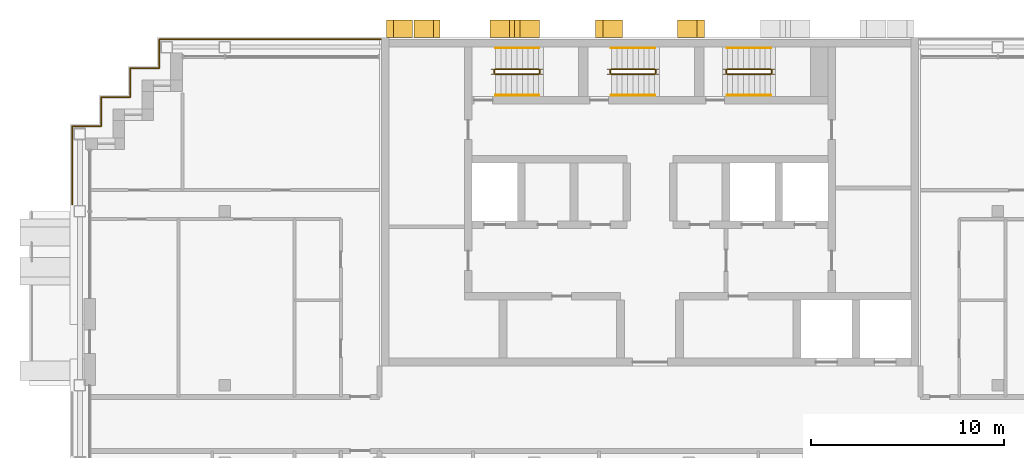
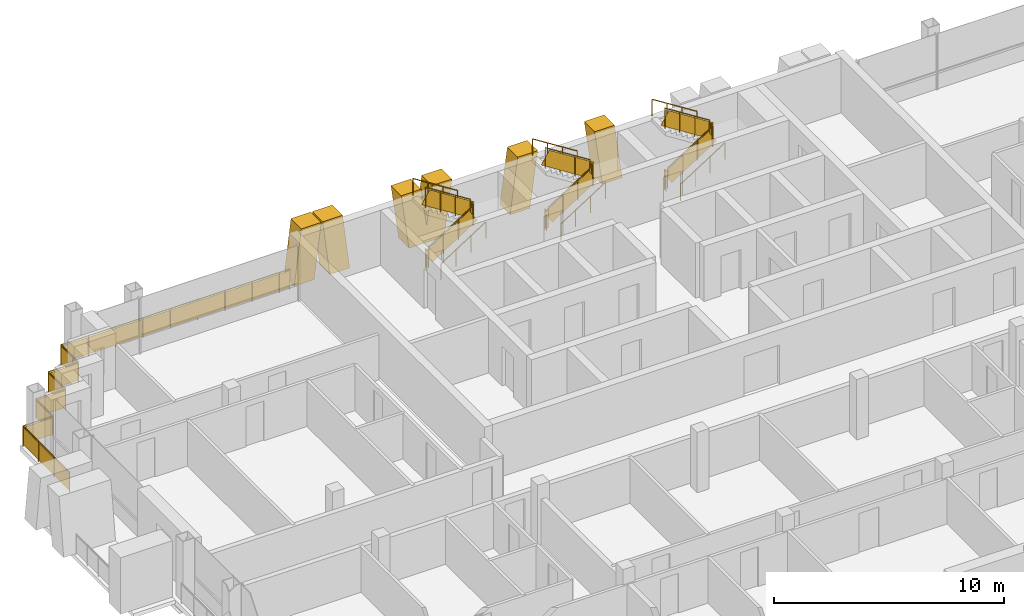
# One storey, part 14 of 15: 21 railings, 5 shading devices.
"""IFC4 building model written with IfcOpenShell, lengths in metres."""

import ifcopenshell
import ifcopenshell.guid

model = None  # the IFC model being written
_history = None  # IfcOwnerHistory: only IFC2X3 demands one
_inside = {}  # id of a spatial element -> (the spatial element, [elements in it])
_under = {}  # id of a project, library or spatial element -> (it, [spatial elements below it])
_declared = {}  # id of a project -> (the project, [libraries it declares])
_typed = {}  # id of a type object -> (the type object, [elements of that type])
_made_of = {}  # id of a material, layer set ... -> (it, [elements and type objects made of it])


def new_model(schema):
    """Start an empty IFC model of exactly this schema.

    Asked for "IFC4X3", IfcOpenShell would pick the latest addendum, in which some entities
    have other attributes; the version numbers below select the first issue.
    IFC2X3 requires an IfcOwnerHistory on every rooted entity: one is made here for all.
    """
    global model, _history
    if schema == "IFC4X3":
        model = ifcopenshell.file(schema_version=(4, 3, 0, 0))
    else:
        model = ifcopenshell.file(schema=schema)
    _inside.clear()
    _under.clear()
    _declared.clear()
    _typed.clear()
    _made_of.clear()
    _history = None
    if model.schema == "IFC2X3":
        org = make("IfcOrganization", Name="unknown")
        user = make(
            "IfcPersonAndOrganization",
            ThePerson=make("IfcPerson", FamilyName="unknown"),
            TheOrganization=org,
        )
        app = make(
            "IfcApplication",
            ApplicationDeveloper=org,
            Version="unknown",
            ApplicationFullName="unknown",
            ApplicationIdentifier="unknown",
        )
        _history = make(
            "IfcOwnerHistory",
            OwningUser=user,
            OwningApplication=app,
            ChangeAction="ADDED",
            CreationDate=0,
        )
    return model


def make(cls, **values):
    """One entity of the class cls with the attributes given. An attribute that is None is left unset."""
    return model.create_entity(
        cls, **{name: value for name, value in values.items() if value is not None}
    )


def rooted(cls, **values):
    """An entity with a GlobalId (a new one), such as an element, a storey or a relation."""
    return make(cls, GlobalId=ifcopenshell.guid.new(), OwnerHistory=_history, **values)


def si_unit(unit_type, name, prefix=None):
    """IfcSIUnit, for example si_unit("LENGTHUNIT", "METRE", prefix="MILLI")."""
    return make("IfcSIUnit", UnitType=unit_type, Prefix=prefix, Name=name)


def assignment(units):
    """IfcUnitAssignment: the units of a project."""
    return None if units is None else make("IfcUnitAssignment", Units=units)


def point(xyz):
    """IfcCartesianPoint."""
    return None if xyz is None else make("IfcCartesianPoint", Coordinates=xyz)


def direction(xyz):
    """IfcDirection."""
    return None if xyz is None else make("IfcDirection", DirectionRatios=xyz)


def frame(location, z_axis=None, x_axis=None):
    """IfcAxis2Placement3D, a coordinate frame: its origin and axes. An axis left out is left unset."""
    return make(
        "IfcAxis2Placement3D",
        Location=point(location),
        Axis=direction(z_axis),
        RefDirection=direction(x_axis),
    )


def frame_2d(location, x_axis=None):
    """IfcAxis2Placement2D, a coordinate frame in the plane: its origin and x axis."""
    return make(
        "IfcAxis2Placement2D", Location=point(location), RefDirection=direction(x_axis)
    )


def origin():
    """The frame at (0, 0, 0) with its axes left unset."""
    return frame((0.0, 0.0, 0.0))


def origin_2d():
    """The frame at (0, 0) in the plane with its x axis left unset."""
    return frame_2d((0.0, 0.0))


def place(relative_to, where):
    """IfcLocalPlacement: puts the frame where relative to a parent placement (None: the world)."""
    return make(
        "IfcLocalPlacement", PlacementRelTo=relative_to, RelativePlacement=where
    )


def context(
    kind, dimensions, precision=None, world=None, true_north=None, identifier=None
):
    """IfcGeometricRepresentationContext, for example the 3D "Model" context."""
    return make(
        "IfcGeometricRepresentationContext",
        ContextIdentifier=identifier,
        ContextType=kind,
        CoordinateSpaceDimension=dimensions,
        Precision=precision,
        WorldCoordinateSystem=world,
        TrueNorth=true_north,
    )


def subcontext(parent, identifier, kind, view, scale=None):
    """IfcGeometricRepresentationSubContext, for example "Body" below "Model"."""
    return make(
        "IfcGeometricRepresentationSubContext",
        ContextIdentifier=identifier,
        ContextType=kind,
        ParentContext=parent,
        TargetScale=scale,
        TargetView=view,
    )


def project(units=None, contexts=None):
    """IfcProject with its units and contexts."""
    return rooted(
        "IfcProject",
        Name="project",
        RepresentationContexts=contexts,
        UnitsInContext=assignment(units),
    )


def spatial(cls, under=None, at=None, **own):
    """A site, building, storey or space (cls), placed at a placement, below another one or the project."""
    s = rooted(cls, ObjectPlacement=at, **own)
    if under is not None:
        _under.setdefault(under.id(), (under, []))[1].append(s)
    return s


def polyline(points):
    """IfcPolyline through the points."""
    return make("IfcPolyline", Points=[point(p) for p in points])


def profile(cls, at=None, kind="AREA", **sizes):
    """A parametric profile (cls). Its sizes go by their IFC names, for example OverallWidth=200.0."""
    return make(cls, ProfileType=kind, Position=at, **sizes)


def rectangle(**sizes):
    """IfcRectangleProfileDef."""
    return profile("IfcRectangleProfileDef", **sizes)


def circle(**sizes):
    """IfcCircleProfileDef."""
    return profile("IfcCircleProfileDef", **sizes)


def outline(outer, holes=None, kind="AREA"):
    """IfcArbitraryClosedProfileDef: a profile drawn as a closed curve; with holes, ...WithVoids."""
    if holes is None:
        return make("IfcArbitraryClosedProfileDef", ProfileType=kind, OuterCurve=outer)
    return make(
        "IfcArbitraryProfileDefWithVoids",
        ProfileType=kind,
        OuterCurve=outer,
        InnerCurves=holes,
    )


def extrude(swept, where, along, depth):
    """IfcExtrudedAreaSolid: the profile swept, set in the frame where, extruded along a direction by depth."""
    return make(
        "IfcExtrudedAreaSolid",
        SweptArea=swept,
        Position=where,
        ExtrudedDirection=direction(along),
        Depth=depth,
    )


def shape(context_of_items, identifier, shape_type, items):
    """IfcShapeRepresentation: the items that make up one representation, for example the "Body"."""
    return make(
        "IfcShapeRepresentation",
        ContextOfItems=context_of_items,
        RepresentationIdentifier=identifier,
        RepresentationType=shape_type,
        Items=items,
    )


def material(Name=None, Category=None):
    """IfcMaterial."""
    return make("IfcMaterial", Name=Name, Category=Category)


def layer(
    of_material, thickness, ventilated=None, Name=None, Category=None, Priority=None
):
    """IfcMaterialLayer: one layer of a wall or slab, of a material (None: an air gap)."""
    return make(
        "IfcMaterialLayer",
        Material=of_material,
        LayerThickness=thickness,
        IsVentilated=ventilated,
        Name=Name,
        Category=Category,
        Priority=Priority,
    )


def layer_set(layers, Name=None):
    """IfcMaterialLayerSet."""
    return make("IfcMaterialLayerSet", MaterialLayers=layers, LayerSetName=Name)


def made_of(thing, what):
    """Note that an element or type object is made of a material, layer set ...; save() writes the relation."""
    if what is not None:
        _made_of.setdefault(what.id(), (what, []))[1].append(thing)
    return thing


def type_object(cls, material=None, **own):
    """A type object (cls), such as IfcWallType, which elements share."""
    return made_of(rooted(cls, **own), material)


def element(
    cls,
    number,
    at=None,
    inside=None,
    cuts=None,
    type_object=None,
    material=None,
    context=None,
    identifier="Body",
    shape_type=None,
    held_by="IfcProductDefinitionShape",
    body=None,
    shapes=None,
    **own,
):
    """One element of the class cls, such as IfcWall. Its Tag is "e" and its number.

    at: its placement. inside: the storey or other place that contains it. cuts: it is an
    opening in that element (IfcRelVoidsElement). A single representation is given by context,
    identifier, shape_type and body (its items); several are given by shapes. held_by: the class
    of the entity that holds the representations. save() writes the other relations.
    """
    e = rooted(cls, Tag="e%d" % number, ObjectPlacement=at, **own)
    if body is not None:
        shapes = [shape(context, identifier, shape_type, body)]
    if shapes is not None:
        e.Representation = make(held_by, Representations=shapes)
    if inside is not None:
        _inside.setdefault(inside.id(), (inside, []))[1].append(e)
    if cuts is not None:
        rooted(
            "IfcRelVoidsElement", RelatingBuildingElement=cuts, RelatedOpeningElement=e
        )
    if type_object is not None:
        _typed.setdefault(type_object.id(), (type_object, []))[1].append(e)
    return made_of(e, material)


def aggregate(whole, parts):
    """IfcRelAggregates: a whole, such as a stair, and the parts it consists of."""
    return rooted("IfcRelAggregates", RelatingObject=whole, RelatedObjects=parts)


def save(model, path):
    """Write the relations noted so far, then the file.

    IfcRelAggregates (storeys below a building ...), IfcRelContainedInSpatialStructure (elements
    in a storey), IfcRelDefinesByType, IfcRelAssociatesMaterial and IfcRelDeclares: one each for
    every whole, place, type object, material and project.
    """
    for whole, parts in _under.values():
        aggregate(whole, parts)
    for where, things in _inside.values():
        rooted(
            "IfcRelContainedInSpatialStructure",
            RelatedElements=things,
            RelatingStructure=where,
        )
    for kind, things in _typed.values():
        rooted("IfcRelDefinesByType", RelatedObjects=things, RelatingType=kind)
    for what, things in _made_of.values():
        rooted("IfcRelAssociatesMaterial", RelatedObjects=things, RelatingMaterial=what)
    for by, libraries in _declared.values():
        rooted("IfcRelDeclares", RelatingContext=by, RelatedDefinitions=libraries)
    model.write(path)


model = new_model("IFC4")

# Units and contexts
model_context = context("Model", 3, precision=1e-05, world=origin(), true_north=direction((0.0, 1.0)))
body_context = subcontext(model_context, "Body", "Model", "MODEL_VIEW")
ifc_project = project(units=[si_unit("LENGTHUNIT", "METRE"), si_unit("AREAUNIT", "SQUARE_METRE"), si_unit("VOLUMEUNIT", "CUBIC_METRE"), si_unit("PLANEANGLEUNIT", "RADIAN"), si_unit("MASSUNIT", "GRAM", prefix="KILO")], contexts=[model_context])

# Site, building, storey
site_placement = place(None, origin())
site = spatial("IfcSite", under=ifc_project, at=site_placement, CompositionType="ELEMENT")
building_placement = place(site_placement, origin())
building = spatial("IfcBuilding", under=site, at=building_placement, Name="Vidyagriha Tower", CompositionType="ELEMENT")
storey_placement = place(building_placement, frame((0.0, 0.0, 210.800048828125)))
storey = spatial("IfcBuildingStorey", under=building, at=storey_placement, Name="L54", CompositionType="ELEMENT", Elevation=210.800048828125)

# Shading devices
ifc_material_1 = material(Name="Precast concrete C40/50 with brick facing", Category="concrete")
ifc_layer_1 = layer(ifc_material_1, 1.0)
ifc_layer_set_1 = layer_set([ifc_layer_1], Name="Precast concrete C40/50 with brick facing")
shading_device_type_1 = type_object("IfcShadingDeviceType", Name="Brick-faced rear rib arm leaning 8 degrees", PredefinedType="USERDEFINED", material=ifc_layer_set_1)
shading_device_1_placement = place(storey_placement, frame((2.814208984375, 20.449951171875, 0.0), z_axis=(0.0, 0.0, 1.0), x_axis=(-1.0, 0.0, 0.0)))
element("IfcShadingDevice", 1, at=shading_device_1_placement, inside=storey, type_object=shading_device_type_1, Name="Rear rib arm L54 R08.3a", ObjectType="BLADE FIN", PredefinedType="USERDEFINED", context=body_context, shape_type="SweptSolid", body=[
    extrude(outline(polyline([(0.0, 0.0), (1.0, 0.0), (1.3857421875, 2.919921875), (0.3857421875, 2.919921875), (0.0, 0.0)])), frame((0.0, 0.449951171875, 0.0), z_axis=(0.0, -1.0, 0.0), x_axis=(1.0, 0.0, 0.0)), (0.0, 0.0, 1.0), 0.89990234375),
])
shading_device_2_placement = place(storey_placement, frame((-1.4287109375, 20.449951171875, 0.0), z_axis=(0.0, 0.0, 1.0), x_axis=(-1.0, 0.0, 0.0)))
element("IfcShadingDevice", 2, at=shading_device_2_placement, inside=storey, type_object=shading_device_type_1, Name="Rear rib arm L54 R08.3b", ObjectType="BLADE FIN", PredefinedType="USERDEFINED", context=body_context, shape_type="SweptSolid", body=[
    extrude(outline(polyline([(0.3857421875, 0.0), (1.3857421875, 0.0), (1.0, 2.919921875), (0.0, 2.919921875), (0.3857421875, 0.0)])), frame((0.0, 0.449951171875, 0.0), z_axis=(0.0, -1.0, 0.0), x_axis=(1.0, 0.0, 0.0)), (0.0, 0.0, 1.0), 0.89990234375),
])
shading_device_3_placement = place(storey_placement, frame((-10.857177734375, 20.449951171875, 0.0), z_axis=(0.0, 0.0, 1.0), x_axis=(-1.0, 0.0, 0.0)))
element("IfcShadingDevice", 3, at=shading_device_3_placement, inside=storey, type_object=shading_device_type_1, Name="Rear rib arm L54 R08.5a", ObjectType="BLADE FIN", PredefinedType="USERDEFINED", context=body_context, shape_type="SweptSolid", body=[
    extrude(outline(polyline([(0.0, 0.0), (1.0, 0.0), (1.357177734375, 2.919921875), (0.357177734375, 2.919921875), (0.0, 0.0)])), frame((0.0, 0.449951171875, 0.0), z_axis=(0.0, -1.0, 0.0), x_axis=(1.0, 0.0, 0.0)), (0.0, 0.0, 1.0), 0.89990234375),
])
shading_device_4_placement = place(storey_placement, frame((-12.28564453125, 20.449951171875, 0.0), z_axis=(0.0, 0.0, 1.0), x_axis=(-1.0, 0.0, 0.0)))
element("IfcShadingDevice", 4, at=shading_device_4_placement, inside=storey, type_object=shading_device_type_1, Name="Rear rib arm L54 R08.5b", ObjectType="BLADE FIN", PredefinedType="USERDEFINED", context=body_context, shape_type="SweptSolid", body=[
    extrude(outline(polyline([(0.357177734375, 0.0), (1.357177734375, 0.0), (1.0, 2.919921875), (0.0, 2.919921875), (0.357177734375, 0.0)])), frame((0.0, 0.449951171875, 0.0), z_axis=(0.0, -1.0, 0.0), x_axis=(1.0, 0.0, 0.0)), (0.0, 0.0, 1.0), 0.89990234375),
])
ifc_material_2 = material(Name="Precast concrete C40/50 with brick facing", Category="concrete")
ifc_layer_2 = layer(ifc_material_2, 1.0)
ifc_layer_set_2 = layer_set([ifc_layer_2], Name="Precast concrete C40/50 with brick facing")
shading_device_type_2 = type_object("IfcShadingDeviceType", Name="Brick-faced rear rib forking 8 degrees", PredefinedType="USERDEFINED", material=ifc_layer_set_2)
shading_device_5_placement = place(storey_placement, frame((-5.728515625, 20.449951171875, 0.0), z_axis=(0.0, 0.0, 1.0), x_axis=(-1.0, 0.0, 0.0)))
element("IfcShadingDevice", 5, at=shading_device_5_placement, inside=storey, type_object=shading_device_type_2, Name="Rear rib fork L54 R08.4a", ObjectType="BLADE FIN", PredefinedType="USERDEFINED", context=body_context, shape_type="SweptSolid", body=[
    extrude(outline(polyline([(0.3857421875, 0.0), (2.156982421875, 0.0), (2.542724609375, 2.919921875), (1.542724609375, 2.919921875), (1.271484375, 0.865234375), (1.0, 2.919921875), (0.0, 2.919921875), (0.3857421875, 0.0)])), frame((0.0, 0.449951171875, 0.0), z_axis=(0.0, -1.0, 0.0), x_axis=(1.0, 0.0, 0.0)), (0.0, 0.0, 1.0), 0.89990234375),
])

# Railings
ifc_material_3 = material(Name="Steel ASTM A500 Grade C black painted", Category="steel")
railing_type_1 = type_object("IfcRailingType", Name="Gallery guard 1100", PredefinedType="GUARDRAIL", material=ifc_material_3)
railing_1_placement = place(storey_placement, frame((-29.89990234375, 11.360107421875, 0.0)))
element("IfcRailing", 6, at=railing_1_placement, inside=storey, type_object=railing_type_1, Name="Gallery guard L54 4", PredefinedType="GUARDRAIL", context=body_context, shape_type="SweptSolid", body=[
    extrude(circle(Radius=0.02490234375, at=origin_2d()), frame((0.0, 0.0, 1.0751953125), z_axis=(0.0, 1.0, 0.0), x_axis=(-1.0, 0.0, 0.0)), (0.0, 0.0, 1.0), 4.039794921875),
    extrude(circle(Radius=0.02490234375, at=origin_2d()), frame((0.0, 4.039794921875, 1.0751953125), z_axis=(1.0, 0.0, 0.0), x_axis=(0.0, 1.0, 0.0)), (0.0, 0.0, 1.0), 1.5),
    extrude(circle(Radius=0.02490234375, at=origin_2d()), frame((1.5, 4.039794921875, 1.0751953125), z_axis=(0.0, 1.0, 0.0), x_axis=(-1.0, 0.0, 0.0)), (0.0, 0.0, 1.0), 1.5),
    extrude(circle(Radius=0.02490234375, at=origin_2d()), frame((1.5, 5.539794921875, 1.0751953125), z_axis=(1.0, 0.0, 0.0), x_axis=(0.0, 1.0, 0.0)), (0.0, 0.0, 1.0), 1.5),
    extrude(circle(Radius=0.02490234375, at=origin_2d()), frame((3.0, 5.539794921875, 1.0751953125), z_axis=(0.0, 1.0, 0.0), x_axis=(-1.0, 0.0, 0.0)), (0.0, 0.0, 1.0), 1.5),
    extrude(circle(Radius=0.02490234375, at=origin_2d()), frame((3.0, 7.039794921875, 1.0751953125), z_axis=(1.0, 0.0, 0.0), x_axis=(0.0, 1.0, 0.0)), (0.0, 0.0, 1.0), 1.5),
    extrude(circle(Radius=0.02490234375, at=origin_2d()), frame((4.5, 7.039794921875, 1.0751953125), z_axis=(0.0, 1.0, 0.0), x_axis=(-1.0, 0.0, 0.0)), (0.0, 0.0, 1.0), 0.460205078125),
    extrude(circle(Radius=0.02001953125, at=origin_2d()), origin(), (0.0, 0.0, 1.0), 1.050048828125),
    extrude(circle(Radius=0.02001953125, at=origin_2d()), frame((0.0, 1.3466796875, 0.0)), (0.0, 0.0, 1.0), 1.050048828125),
    extrude(circle(Radius=0.02001953125, at=origin_2d()), frame((0.0, 2.693115234375, 0.0)), (0.0, 0.0, 1.0), 1.050048828125),
    extrude(circle(Radius=0.02001953125, at=origin_2d()), frame((0.0, 4.039794921875, 0.0)), (0.0, 0.0, 1.0), 1.050048828125),
    extrude(circle(Radius=0.02001953125, at=origin_2d()), frame((1.5, 4.039794921875, 0.0)), (0.0, 0.0, 1.0), 1.050048828125),
    extrude(circle(Radius=0.02001953125, at=origin_2d()), frame((1.5, 5.539794921875, 0.0)), (0.0, 0.0, 1.0), 1.050048828125),
    extrude(circle(Radius=0.02001953125, at=origin_2d()), frame((3.0, 5.539794921875, 0.0)), (0.0, 0.0, 1.0), 1.050048828125),
    extrude(circle(Radius=0.02001953125, at=origin_2d()), frame((3.0, 7.039794921875, 0.0)), (0.0, 0.0, 1.0), 1.050048828125),
    extrude(circle(Radius=0.02001953125, at=origin_2d()), frame((4.5, 7.039794921875, 0.0)), (0.0, 0.0, 1.0), 1.050048828125),
    extrude(circle(Radius=0.02001953125, at=origin_2d()), frame((4.5, 7.5, 0.0)), (0.0, 0.0, 1.0), 1.050048828125),
    extrude(rectangle(XDim=0.010009765625, YDim=0.900146484375, at=origin_2d()), frame((0.0, 0.0, 0.550048828125), z_axis=(0.0, 1.0, 0.0), x_axis=(-1.0, 0.0, 0.0)), (0.0, 0.0, 1.0), 4.039794921875),
    extrude(rectangle(XDim=0.010009765625, YDim=0.900146484375, at=origin_2d()), frame((0.0, 4.039794921875, 0.550048828125), z_axis=(1.0, 0.0, 0.0), x_axis=(0.0, 1.0, 0.0)), (0.0, 0.0, 1.0), 1.5),
    extrude(rectangle(XDim=0.010009765625, YDim=0.900146484375, at=origin_2d()), frame((1.5, 4.039794921875, 0.550048828125), z_axis=(0.0, 1.0, 0.0), x_axis=(-1.0, 0.0, 0.0)), (0.0, 0.0, 1.0), 1.5),
    extrude(rectangle(XDim=0.010009765625, YDim=0.900146484375, at=origin_2d()), frame((1.5, 5.539794921875, 0.550048828125), z_axis=(1.0, 0.0, 0.0), x_axis=(0.0, 1.0, 0.0)), (0.0, 0.0, 1.0), 1.5),
    extrude(rectangle(XDim=0.010009765625, YDim=0.900146484375, at=origin_2d()), frame((3.0, 5.539794921875, 0.550048828125), z_axis=(0.0, 1.0, 0.0), x_axis=(-1.0, 0.0, 0.0)), (0.0, 0.0, 1.0), 1.5),
    extrude(rectangle(XDim=0.010009765625, YDim=0.900146484375, at=origin_2d()), frame((3.0, 7.039794921875, 0.550048828125), z_axis=(1.0, 0.0, 0.0), x_axis=(0.0, 1.0, 0.0)), (0.0, 0.0, 1.0), 1.5),
    extrude(rectangle(XDim=0.010009765625, YDim=0.900146484375, at=origin_2d()), frame((4.5, 7.039794921875, 0.550048828125), z_axis=(0.0, 1.0, 0.0), x_axis=(-1.0, 0.0, 0.0)), (0.0, 0.0, 1.0), 0.460205078125),
])
railing_2_placement = place(storey_placement, frame((-25.39990234375, 18.860107421875, 0.0)))
element("IfcRailing", 7, at=railing_2_placement, inside=storey, type_object=railing_type_1, Name="Gallery guard L54 5", PredefinedType="GUARDRAIL", context=body_context, shape_type="SweptSolid", body=[
    extrude(circle(Radius=0.02490234375, at=origin_2d()), frame((0.0, 0.0, 1.0751953125), z_axis=(0.0, 1.0, 0.0), x_axis=(-1.0, 0.0, 0.0)), (0.0, 0.0, 1.0), 1.039794921875),
    extrude(circle(Radius=0.02490234375, at=origin_2d()), frame((0.0, 1.039794921875, 1.0751953125), z_axis=(1.0, 0.0, 0.0), x_axis=(0.0, 1.0, 0.0)), (0.0, 0.0, 1.0), 10.9599609375),
    extrude(circle(Radius=0.02001953125, at=origin_2d()), origin(), (0.0, 0.0, 1.0), 1.050048828125),
    extrude(circle(Radius=0.02001953125, at=origin_2d()), frame((0.0, 1.039794921875, 0.0)), (0.0, 0.0, 1.0), 1.050048828125),
    extrude(circle(Radius=0.02001953125, at=origin_2d()), frame((1.3701171875, 1.039794921875, 0.0)), (0.0, 0.0, 1.0), 1.050048828125),
    extrude(circle(Radius=0.02001953125, at=origin_2d()), frame((2.739990234375, 1.039794921875, 0.0)), (0.0, 0.0, 1.0), 1.050048828125),
    extrude(circle(Radius=0.02001953125, at=origin_2d()), frame((4.10986328125, 1.039794921875, 0.0)), (0.0, 0.0, 1.0), 1.050048828125),
    extrude(circle(Radius=0.02001953125, at=origin_2d()), frame((5.47998046875, 1.039794921875, 0.0)), (0.0, 0.0, 1.0), 1.050048828125),
    extrude(circle(Radius=0.02001953125, at=origin_2d()), frame((6.85009765625, 1.039794921875, 0.0)), (0.0, 0.0, 1.0), 1.050048828125),
    extrude(circle(Radius=0.02001953125, at=origin_2d()), frame((8.219970703125, 1.039794921875, 0.0)), (0.0, 0.0, 1.0), 1.050048828125),
    extrude(circle(Radius=0.02001953125, at=origin_2d()), frame((9.58984375, 1.039794921875, 0.0)), (0.0, 0.0, 1.0), 1.050048828125),
    extrude(circle(Radius=0.02001953125, at=origin_2d()), frame((10.9599609375, 1.039794921875, 0.0)), (0.0, 0.0, 1.0), 1.050048828125),
    extrude(rectangle(XDim=0.010009765625, YDim=0.900146484375, at=origin_2d()), frame((0.0, 0.0, 0.550048828125), z_axis=(0.0, 1.0, 0.0), x_axis=(-1.0, 0.0, 0.0)), (0.0, 0.0, 1.0), 1.039794921875),
    extrude(rectangle(XDim=0.010009765625, YDim=0.900146484375, at=origin_2d()), frame((0.0, 1.039794921875, 0.550048828125), z_axis=(1.0, 0.0, 0.0), x_axis=(0.0, 1.0, 0.0)), (0.0, 0.0, 1.0), 10.9599609375),
])
railing_3_placement = place(storey_placement, frame((-14.43994140625, 19.89990234375, 0.0)))
element("IfcRailing", 8, at=railing_3_placement, inside=storey, type_object=railing_type_1, Name="Gallery guard L54 6", PredefinedType="GUARDRAIL", context=body_context, shape_type="SweptSolid", body=[
    extrude(circle(Radius=0.02490234375, at=origin_2d()), frame((0.0, 0.0, 1.0751953125), z_axis=(1.0, 0.0, 0.0), x_axis=(0.0, 1.0, 0.0)), (0.0, 0.0, 1.0), 0.510009765625),
    extrude(circle(Radius=0.02001953125, at=origin_2d()), origin(), (0.0, 0.0, 1.0), 1.050048828125),
    extrude(circle(Radius=0.02001953125, at=origin_2d()), frame((0.510009765625, 0.0, 0.0)), (0.0, 0.0, 1.0), 1.050048828125),
    extrude(rectangle(XDim=0.010009765625, YDim=0.900146484375, at=origin_2d()), frame((0.0, 0.0, 0.550048828125), z_axis=(1.0, 0.0, 0.0), x_axis=(0.0, 1.0, 0.0)), (0.0, 0.0, 1.0), 0.510009765625),
])
ifc_material_4 = material(Name="Steel ASTM A500 Grade C", Category="steel")
railing_type_2 = type_object("IfcRailingType", Name="Stair guard 1100 mm, steel balustrade", PredefinedType="GUARDRAIL", material=ifc_material_4)
railing_4_placement = place(storey_placement, frame((-8.0, 18.10009765625, 0.177734375)))
element("IfcRailing", 9, at=railing_4_placement, inside=storey, type_object=railing_type_2, Name="L54 ST1 stair guard 1", PredefinedType="GUARDRAIL", context=body_context, shape_type="SweptSolid", body=[
    extrude(circle(Radius=0.02392578125, at=origin_2d()), frame((0.0, 0.0, 1.076171875), z_axis=(0.8442293374, 0.0, 0.53598211339), x_axis=(0.0, 1.0, 0.0)), (0.0, 0.0, 1.0), 2.6533203125),
    extrude(circle(Radius=0.02099609375, at=origin_2d()), origin(), (0.0, 0.0, 1.0), 1.052001953125),
    extrude(circle(Radius=0.02099609375, at=origin_2d()), frame((0.74658203125, 0.0, 0.47412109375)), (0.0, 0.0, 1.0), 1.052001953125),
    extrude(circle(Radius=0.02099609375, at=origin_2d()), frame((1.493408203125, 0.0, 0.947998046875)), (0.0, 0.0, 1.0), 1.052001953125),
    extrude(circle(Radius=0.02099609375, at=origin_2d()), frame((2.239990234375, 0.0, 1.422119140625)), (0.0, 0.0, 1.0), 1.052001953125),
    extrude(rectangle(XDim=0.010009765625, YDim=0.761474609375, at=origin_2d()), frame((0.0, 0.0, 0.551025390625), z_axis=(0.8442293374, 0.0, 0.53598211339), x_axis=(0.0, 1.0, 0.0)), (0.0, 0.0, 1.0), 2.6533203125),
])
railing_5_placement = place(storey_placement, frame((-5.7099609375, 18.14990234375, 1.599853515625)))
element("IfcRailing", 10, at=railing_5_placement, inside=storey, type_object=railing_type_2, Name="L54 ST1 stair guard 2", PredefinedType="GUARDRAIL", context=body_context, shape_type="SweptSolid", body=[
    extrude(circle(Radius=0.02392578125, at=origin_2d()), frame((0.0, 0.0, 1.076171875), z_axis=(0.0, 1.0, 0.0), x_axis=(-1.0, 0.0, 0.0)), (0.0, 0.0, 1.0), 0.150146484375),
    extrude(circle(Radius=0.02099609375, at=origin_2d()), origin(), (0.0, 0.0, 1.0), 1.052001953125),
    extrude(circle(Radius=0.02099609375, at=origin_2d()), frame((0.0, 0.150146484375, 0.0)), (0.0, 0.0, 1.0), 1.052001953125),
    extrude(rectangle(XDim=0.010009765625, YDim=0.902099609375, at=origin_2d()), frame((0.0, 0.0, 0.551025390625), z_axis=(0.0, 1.0, 0.0), x_axis=(-1.0, 0.0, 0.0)), (0.0, 0.0, 1.0), 0.150146484375),
])
railing_6_placement = place(storey_placement, frame((-5.760009765625, 18.35009765625, 1.77783203125)))
element("IfcRailing", 11, at=railing_6_placement, inside=storey, type_object=railing_type_2, Name="L54 ST1 stair guard 3", PredefinedType="GUARDRAIL", context=body_context, shape_type="SweptSolid", body=[
    extrude(circle(Radius=0.02392578125, at=origin_2d()), frame((0.0, 0.0, 1.076171875), z_axis=(-0.8442293374, 0.0, 0.53598211339), x_axis=(0.0, -1.0, 0.0)), (0.0, 0.0, 1.0), 2.6533203125),
    extrude(circle(Radius=0.02099609375, at=origin_2d()), origin(), (0.0, 0.0, 1.0), 1.052001953125),
    extrude(circle(Radius=0.02099609375, at=origin_2d()), frame((-0.74658203125, 0.0, 0.47412109375)), (0.0, 0.0, 1.0), 1.052001953125),
    extrude(circle(Radius=0.02099609375, at=origin_2d()), frame((-1.493408203125, 0.0, 0.947998046875)), (0.0, 0.0, 1.0), 1.052001953125),
    extrude(circle(Radius=0.02099609375, at=origin_2d()), frame((-2.239990234375, 0.0, 1.422119140625)), (0.0, 0.0, 1.0), 1.052001953125),
    extrude(rectangle(XDim=0.010009765625, YDim=0.761474609375, at=origin_2d()), frame((0.0, 0.0, 0.551025390625), z_axis=(-0.8442293374, 0.0, 0.53598211339), x_axis=(0.0, -1.0, 0.0)), (0.0, 0.0, 1.0), 2.6533203125),
])
railing_7_placement = place(storey_placement, frame((-8.050048828125, 18.14990234375, 0.0)))
element("IfcRailing", 12, at=railing_7_placement, inside=storey, type_object=railing_type_2, Name="L54 ST1 stair guard 4", PredefinedType="GUARDRAIL", context=body_context, shape_type="SweptSolid", body=[
    extrude(circle(Radius=0.02392578125, at=origin_2d()), frame((0.0, 0.0, 1.076171875), z_axis=(0.0, 1.0, 0.0), x_axis=(-1.0, 0.0, 0.0)), (0.0, 0.0, 1.0), 0.150146484375),
    extrude(circle(Radius=0.02099609375, at=origin_2d()), origin(), (0.0, 0.0, 1.0), 1.052001953125),
    extrude(circle(Radius=0.02099609375, at=origin_2d()), frame((0.0, 0.150146484375, 0.0)), (0.0, 0.0, 1.0), 1.052001953125),
    extrude(rectangle(XDim=0.010009765625, YDim=0.902099609375, at=origin_2d()), frame((0.0, 0.0, 0.551025390625), z_axis=(0.0, 1.0, 0.0), x_axis=(-1.0, 0.0, 0.0)), (0.0, 0.0, 1.0), 0.150146484375),
])
railing_8_placement = place(storey_placement, frame((-2.0, 18.10009765625, 0.177734375)))
element("IfcRailing", 13, at=railing_8_placement, inside=storey, type_object=railing_type_2, Name="L54 ST2 stair guard 1", PredefinedType="GUARDRAIL", context=body_context, shape_type="SweptSolid", body=[
    extrude(circle(Radius=0.02392578125, at=origin_2d()), frame((0.0, 0.0, 1.076171875), z_axis=(0.8442293374, 0.0, 0.53598211339), x_axis=(0.0, 1.0, 0.0)), (0.0, 0.0, 1.0), 2.6533203125),
    extrude(circle(Radius=0.02099609375, at=origin_2d()), origin(), (0.0, 0.0, 1.0), 1.052001953125),
    extrude(circle(Radius=0.02099609375, at=origin_2d()), frame((0.74658203125, 0.0, 0.47412109375)), (0.0, 0.0, 1.0), 1.052001953125),
    extrude(circle(Radius=0.02099609375, at=origin_2d()), frame((1.493408203125, 0.0, 0.947998046875)), (0.0, 0.0, 1.0), 1.052001953125),
    extrude(circle(Radius=0.02099609375, at=origin_2d()), frame((2.239990234375, 0.0, 1.422119140625)), (0.0, 0.0, 1.0), 1.052001953125),
    extrude(rectangle(XDim=0.010009765625, YDim=0.761474609375, at=origin_2d()), frame((0.0, 0.0, 0.551025390625), z_axis=(0.8442293374, 0.0, 0.53598211339), x_axis=(0.0, 1.0, 0.0)), (0.0, 0.0, 1.0), 2.6533203125),
])
railing_9_placement = place(storey_placement, frame((0.2900390625, 18.14990234375, 1.599853515625)))
element("IfcRailing", 14, at=railing_9_placement, inside=storey, type_object=railing_type_2, Name="L54 ST2 stair guard 2", PredefinedType="GUARDRAIL", context=body_context, shape_type="SweptSolid", body=[
    extrude(circle(Radius=0.02392578125, at=origin_2d()), frame((0.0, 0.0, 1.076171875), z_axis=(0.0, 1.0, 0.0), x_axis=(-1.0, 0.0, 0.0)), (0.0, 0.0, 1.0), 0.150146484375),
    extrude(circle(Radius=0.02099609375, at=origin_2d()), origin(), (0.0, 0.0, 1.0), 1.052001953125),
    extrude(circle(Radius=0.02099609375, at=origin_2d()), frame((0.0, 0.150146484375, 0.0)), (0.0, 0.0, 1.0), 1.052001953125),
    extrude(rectangle(XDim=0.010009765625, YDim=0.902099609375, at=origin_2d()), frame((0.0, 0.0, 0.551025390625), z_axis=(0.0, 1.0, 0.0), x_axis=(-1.0, 0.0, 0.0)), (0.0, 0.0, 1.0), 0.150146484375),
])
railing_10_placement = place(storey_placement, frame((0.239990234375, 18.35009765625, 1.77783203125)))
element("IfcRailing", 15, at=railing_10_placement, inside=storey, type_object=railing_type_2, Name="L54 ST2 stair guard 3", PredefinedType="GUARDRAIL", context=body_context, shape_type="SweptSolid", body=[
    extrude(circle(Radius=0.02392578125, at=origin_2d()), frame((0.0, 0.0, 1.076171875), z_axis=(-0.8442293374, 0.0, 0.53598211339), x_axis=(0.0, -1.0, 0.0)), (0.0, 0.0, 1.0), 2.6533203125),
    extrude(circle(Radius=0.02099609375, at=origin_2d()), origin(), (0.0, 0.0, 1.0), 1.052001953125),
    extrude(circle(Radius=0.02099609375, at=origin_2d()), frame((-0.74658203125, 0.0, 0.47412109375)), (0.0, 0.0, 1.0), 1.052001953125),
    extrude(circle(Radius=0.02099609375, at=origin_2d()), frame((-1.493408203125, 0.0, 0.947998046875)), (0.0, 0.0, 1.0), 1.052001953125),
    extrude(circle(Radius=0.02099609375, at=origin_2d()), frame((-2.239990234375, 0.0, 1.422119140625)), (0.0, 0.0, 1.0), 1.052001953125),
    extrude(rectangle(XDim=0.010009765625, YDim=0.761474609375, at=origin_2d()), frame((0.0, 0.0, 0.551025390625), z_axis=(-0.8442293374, 0.0, 0.53598211339), x_axis=(0.0, -1.0, 0.0)), (0.0, 0.0, 1.0), 2.6533203125),
])
railing_11_placement = place(storey_placement, frame((-2.050048828125, 18.14990234375, 0.0)))
element("IfcRailing", 16, at=railing_11_placement, inside=storey, type_object=railing_type_2, Name="L54 ST2 stair guard 4", PredefinedType="GUARDRAIL", context=body_context, shape_type="SweptSolid", body=[
    extrude(circle(Radius=0.02392578125, at=origin_2d()), frame((0.0, 0.0, 1.076171875), z_axis=(0.0, 1.0, 0.0), x_axis=(-1.0, 0.0, 0.0)), (0.0, 0.0, 1.0), 0.150146484375),
    extrude(circle(Radius=0.02099609375, at=origin_2d()), origin(), (0.0, 0.0, 1.0), 1.052001953125),
    extrude(circle(Radius=0.02099609375, at=origin_2d()), frame((0.0, 0.150146484375, 0.0)), (0.0, 0.0, 1.0), 1.052001953125),
    extrude(rectangle(XDim=0.010009765625, YDim=0.902099609375, at=origin_2d()), frame((0.0, 0.0, 0.551025390625), z_axis=(0.0, 1.0, 0.0), x_axis=(-1.0, 0.0, 0.0)), (0.0, 0.0, 1.0), 0.150146484375),
])
railing_12_placement = place(storey_placement, frame((4.0, 18.10009765625, 0.177734375)))
element("IfcRailing", 17, at=railing_12_placement, inside=storey, type_object=railing_type_2, Name="L54 ST3 stair guard 1", PredefinedType="GUARDRAIL", context=body_context, shape_type="SweptSolid", body=[
    extrude(circle(Radius=0.02392578125, at=origin_2d()), frame((0.0, 0.0, 1.076171875), z_axis=(0.8442293374, 0.0, 0.53598211339), x_axis=(0.0, 1.0, 0.0)), (0.0, 0.0, 1.0), 2.6533203125),
    extrude(circle(Radius=0.02099609375, at=origin_2d()), origin(), (0.0, 0.0, 1.0), 1.052001953125),
    extrude(circle(Radius=0.02099609375, at=origin_2d()), frame((0.74658203125, 0.0, 0.47412109375)), (0.0, 0.0, 1.0), 1.052001953125),
    extrude(circle(Radius=0.02099609375, at=origin_2d()), frame((1.493408203125, 0.0, 0.947998046875)), (0.0, 0.0, 1.0), 1.052001953125),
    extrude(circle(Radius=0.02099609375, at=origin_2d()), frame((2.239990234375, 0.0, 1.422119140625)), (0.0, 0.0, 1.0), 1.052001953125),
    extrude(rectangle(XDim=0.010009765625, YDim=0.761474609375, at=origin_2d()), frame((0.0, 0.0, 0.551025390625), z_axis=(0.8442293374, 0.0, 0.53598211339), x_axis=(0.0, 1.0, 0.0)), (0.0, 0.0, 1.0), 2.6533203125),
])
railing_13_placement = place(storey_placement, frame((6.2900390625, 18.14990234375, 1.599853515625)))
element("IfcRailing", 18, at=railing_13_placement, inside=storey, type_object=railing_type_2, Name="L54 ST3 stair guard 2", PredefinedType="GUARDRAIL", context=body_context, shape_type="SweptSolid", body=[
    extrude(circle(Radius=0.02392578125, at=origin_2d()), frame((0.0, 0.0, 1.076171875), z_axis=(0.0, 1.0, 0.0), x_axis=(-1.0, 0.0, 0.0)), (0.0, 0.0, 1.0), 0.150146484375),
    extrude(circle(Radius=0.02099609375, at=origin_2d()), origin(), (0.0, 0.0, 1.0), 1.052001953125),
    extrude(circle(Radius=0.02099609375, at=origin_2d()), frame((0.0, 0.150146484375, 0.0)), (0.0, 0.0, 1.0), 1.052001953125),
    extrude(rectangle(XDim=0.010009765625, YDim=0.902099609375, at=origin_2d()), frame((0.0, 0.0, 0.551025390625), z_axis=(0.0, 1.0, 0.0), x_axis=(-1.0, 0.0, 0.0)), (0.0, 0.0, 1.0), 0.150146484375),
])
railing_14_placement = place(storey_placement, frame((6.239990234375, 18.35009765625, 1.77783203125)))
element("IfcRailing", 19, at=railing_14_placement, inside=storey, type_object=railing_type_2, Name="L54 ST3 stair guard 3", PredefinedType="GUARDRAIL", context=body_context, shape_type="SweptSolid", body=[
    extrude(circle(Radius=0.02392578125, at=origin_2d()), frame((0.0, 0.0, 1.076171875), z_axis=(-0.8442293374, 0.0, 0.53598211339), x_axis=(0.0, -1.0, 0.0)), (0.0, 0.0, 1.0), 2.6533203125),
    extrude(circle(Radius=0.02099609375, at=origin_2d()), origin(), (0.0, 0.0, 1.0), 1.052001953125),
    extrude(circle(Radius=0.02099609375, at=origin_2d()), frame((-0.74658203125, 0.0, 0.47412109375)), (0.0, 0.0, 1.0), 1.052001953125),
    extrude(circle(Radius=0.02099609375, at=origin_2d()), frame((-1.493408203125, 0.0, 0.947998046875)), (0.0, 0.0, 1.0), 1.052001953125),
    extrude(circle(Radius=0.02099609375, at=origin_2d()), frame((-2.239990234375, 0.0, 1.422119140625)), (0.0, 0.0, 1.0), 1.052001953125),
    extrude(rectangle(XDim=0.010009765625, YDim=0.761474609375, at=origin_2d()), frame((0.0, 0.0, 0.551025390625), z_axis=(-0.8442293374, 0.0, 0.53598211339), x_axis=(0.0, -1.0, 0.0)), (0.0, 0.0, 1.0), 2.6533203125),
])
railing_15_placement = place(storey_placement, frame((3.949951171875, 18.14990234375, 0.0)))
element("IfcRailing", 20, at=railing_15_placement, inside=storey, type_object=railing_type_2, Name="L54 ST3 stair guard 4", PredefinedType="GUARDRAIL", context=body_context, shape_type="SweptSolid", body=[
    extrude(circle(Radius=0.02392578125, at=origin_2d()), frame((0.0, 0.0, 1.076171875), z_axis=(0.0, 1.0, 0.0), x_axis=(-1.0, 0.0, 0.0)), (0.0, 0.0, 1.0), 0.150146484375),
    extrude(circle(Radius=0.02099609375, at=origin_2d()), origin(), (0.0, 0.0, 1.0), 1.052001953125),
    extrude(circle(Radius=0.02099609375, at=origin_2d()), frame((0.0, 0.150146484375, 0.0)), (0.0, 0.0, 1.0), 1.052001953125),
    extrude(rectangle(XDim=0.010009765625, YDim=0.902099609375, at=origin_2d()), frame((0.0, 0.0, 0.551025390625), z_axis=(0.0, 1.0, 0.0), x_axis=(-1.0, 0.0, 0.0)), (0.0, 0.0, 1.0), 0.150146484375),
])
ifc_material_5 = material(Name="Steel ASTM A500 Grade C", Category="steel")
railing_type_3 = type_object("IfcRailingType", Name="Stair handrail 900 mm, steel", PredefinedType="HANDRAIL", material=ifc_material_5)
railing_16_placement = place(storey_placement, frame((-8.0, 17.0, 0.177734375)))
element("IfcRailing", 21, at=railing_16_placement, inside=storey, type_object=railing_type_3, Name="L54 ST1 stair handrail 1", PredefinedType="HANDRAIL", context=body_context, shape_type="SweptSolid", body=[
    extrude(circle(Radius=0.02392578125, at=origin_2d()), frame((0.0, 0.0, 0.8759765625), z_axis=(0.8442293374, 0.0, 0.53598211339), x_axis=(0.0, 1.0, 0.0)), (0.0, 0.0, 1.0), 2.6533203125),
    extrude(circle(Radius=0.02099609375, at=origin_2d()), origin(), (0.0, 0.0, 1.0), 0.851806640625),
    extrude(circle(Radius=0.02099609375, at=origin_2d()), frame((0.74658203125, 0.0, 0.47412109375)), (0.0, 0.0, 1.0), 0.851806640625),
    extrude(circle(Radius=0.02099609375, at=origin_2d()), frame((1.493408203125, 0.0, 0.947998046875)), (0.0, 0.0, 1.0), 0.851806640625),
    extrude(circle(Radius=0.02099609375, at=origin_2d()), frame((2.239990234375, 0.0, 1.422119140625)), (0.0, 0.0, 1.0), 0.851806640625),
])
railing_17_placement = place(storey_placement, frame((-5.760009765625, 19.449951171875, 1.77783203125)))
element("IfcRailing", 22, at=railing_17_placement, inside=storey, type_object=railing_type_3, Name="L54 ST1 stair handrail 2", PredefinedType="HANDRAIL", context=body_context, shape_type="SweptSolid", body=[
    extrude(circle(Radius=0.02392578125, at=origin_2d()), frame((0.0, 0.0, 0.8759765625), z_axis=(-0.8442293374, 0.0, 0.53598211339), x_axis=(0.0, -1.0, 0.0)), (0.0, 0.0, 1.0), 2.6533203125),
    extrude(circle(Radius=0.02099609375, at=origin_2d()), origin(), (0.0, 0.0, 1.0), 0.851806640625),
    extrude(circle(Radius=0.02099609375, at=origin_2d()), frame((-0.74658203125, 0.0, 0.47412109375)), (0.0, 0.0, 1.0), 0.851806640625),
    extrude(circle(Radius=0.02099609375, at=origin_2d()), frame((-1.493408203125, 0.0, 0.947998046875)), (0.0, 0.0, 1.0), 0.851806640625),
    extrude(circle(Radius=0.02099609375, at=origin_2d()), frame((-2.239990234375, 0.0, 1.422119140625)), (0.0, 0.0, 1.0), 0.851806640625),
])
railing_18_placement = place(storey_placement, frame((-2.0, 17.0, 0.177734375)))
element("IfcRailing", 23, at=railing_18_placement, inside=storey, type_object=railing_type_3, Name="L54 ST2 stair handrail 1", PredefinedType="HANDRAIL", context=body_context, shape_type="SweptSolid", body=[
    extrude(circle(Radius=0.02392578125, at=origin_2d()), frame((0.0, 0.0, 0.8759765625), z_axis=(0.8442293374, 0.0, 0.53598211339), x_axis=(0.0, 1.0, 0.0)), (0.0, 0.0, 1.0), 2.6533203125),
    extrude(circle(Radius=0.02099609375, at=origin_2d()), origin(), (0.0, 0.0, 1.0), 0.851806640625),
    extrude(circle(Radius=0.02099609375, at=origin_2d()), frame((0.74658203125, 0.0, 0.47412109375)), (0.0, 0.0, 1.0), 0.851806640625),
    extrude(circle(Radius=0.02099609375, at=origin_2d()), frame((1.493408203125, 0.0, 0.947998046875)), (0.0, 0.0, 1.0), 0.851806640625),
    extrude(circle(Radius=0.02099609375, at=origin_2d()), frame((2.239990234375, 0.0, 1.422119140625)), (0.0, 0.0, 1.0), 0.851806640625),
])
railing_19_placement = place(storey_placement, frame((0.239990234375, 19.449951171875, 1.77783203125)))
element("IfcRailing", 24, at=railing_19_placement, inside=storey, type_object=railing_type_3, Name="L54 ST2 stair handrail 2", PredefinedType="HANDRAIL", context=body_context, shape_type="SweptSolid", body=[
    extrude(circle(Radius=0.02392578125, at=origin_2d()), frame((0.0, 0.0, 0.8759765625), z_axis=(-0.8442293374, 0.0, 0.53598211339), x_axis=(0.0, -1.0, 0.0)), (0.0, 0.0, 1.0), 2.6533203125),
    extrude(circle(Radius=0.02099609375, at=origin_2d()), origin(), (0.0, 0.0, 1.0), 0.851806640625),
    extrude(circle(Radius=0.02099609375, at=origin_2d()), frame((-0.74658203125, 0.0, 0.47412109375)), (0.0, 0.0, 1.0), 0.851806640625),
    extrude(circle(Radius=0.02099609375, at=origin_2d()), frame((-1.493408203125, 0.0, 0.947998046875)), (0.0, 0.0, 1.0), 0.851806640625),
    extrude(circle(Radius=0.02099609375, at=origin_2d()), frame((-2.239990234375, 0.0, 1.422119140625)), (0.0, 0.0, 1.0), 0.851806640625),
])
railing_20_placement = place(storey_placement, frame((4.0, 17.0, 0.177734375)))
element("IfcRailing", 25, at=railing_20_placement, inside=storey, type_object=railing_type_3, Name="L54 ST3 stair handrail 1", PredefinedType="HANDRAIL", context=body_context, shape_type="SweptSolid", body=[
    extrude(circle(Radius=0.02392578125, at=origin_2d()), frame((0.0, 0.0, 0.8759765625), z_axis=(0.8442293374, 0.0, 0.53598211339), x_axis=(0.0, 1.0, 0.0)), (0.0, 0.0, 1.0), 2.6533203125),
    extrude(circle(Radius=0.02099609375, at=origin_2d()), origin(), (0.0, 0.0, 1.0), 0.851806640625),
    extrude(circle(Radius=0.02099609375, at=origin_2d()), frame((0.74658203125, 0.0, 0.47412109375)), (0.0, 0.0, 1.0), 0.851806640625),
    extrude(circle(Radius=0.02099609375, at=origin_2d()), frame((1.493408203125, 0.0, 0.947998046875)), (0.0, 0.0, 1.0), 0.851806640625),
    extrude(circle(Radius=0.02099609375, at=origin_2d()), frame((2.239990234375, 0.0, 1.422119140625)), (0.0, 0.0, 1.0), 0.851806640625),
])
railing_21_placement = place(storey_placement, frame((6.239990234375, 19.449951171875, 1.77783203125)))
element("IfcRailing", 26, at=railing_21_placement, inside=storey, type_object=railing_type_3, Name="L54 ST3 stair handrail 2", PredefinedType="HANDRAIL", context=body_context, shape_type="SweptSolid", body=[
    extrude(circle(Radius=0.02392578125, at=origin_2d()), frame((0.0, 0.0, 0.8759765625), z_axis=(-0.8442293374, 0.0, 0.53598211339), x_axis=(0.0, -1.0, 0.0)), (0.0, 0.0, 1.0), 2.6533203125),
    extrude(circle(Radius=0.02099609375, at=origin_2d()), origin(), (0.0, 0.0, 1.0), 0.851806640625),
    extrude(circle(Radius=0.02099609375, at=origin_2d()), frame((-0.74658203125, 0.0, 0.47412109375)), (0.0, 0.0, 1.0), 0.851806640625),
    extrude(circle(Radius=0.02099609375, at=origin_2d()), frame((-1.493408203125, 0.0, 0.947998046875)), (0.0, 0.0, 1.0), 0.851806640625),
    extrude(circle(Radius=0.02099609375, at=origin_2d()), frame((-2.239990234375, 0.0, 1.422119140625)), (0.0, 0.0, 1.0), 0.851806640625),
])

save(model, "model.ifc")
